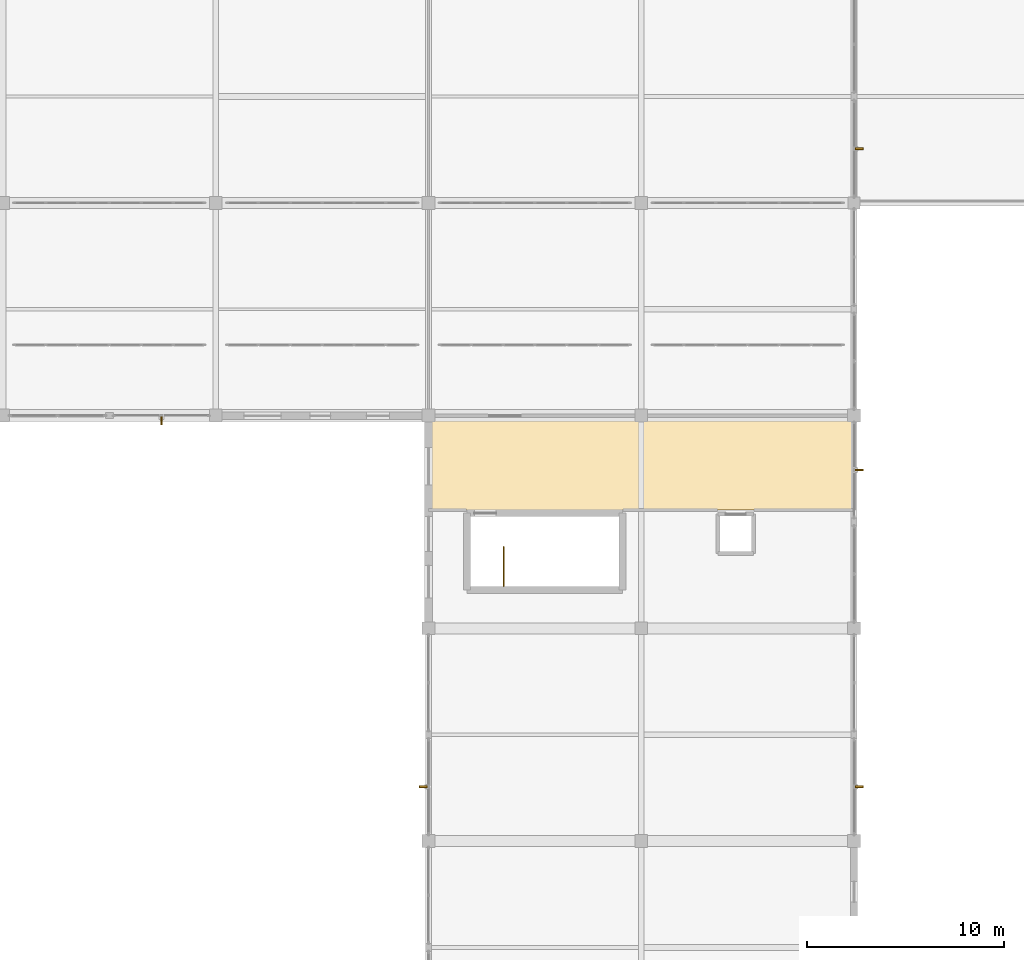
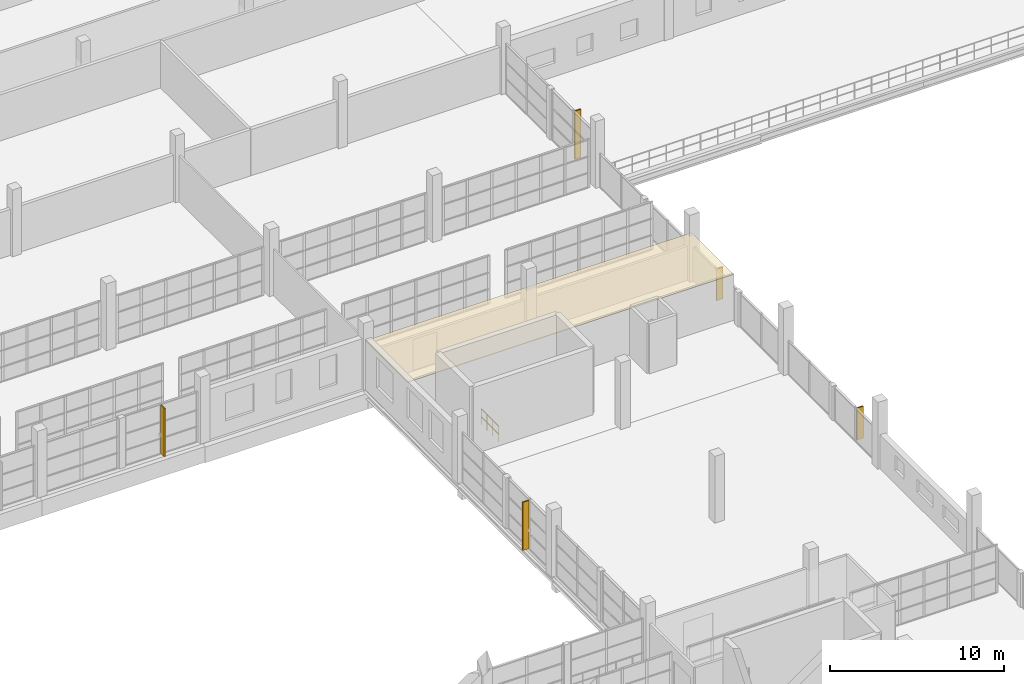
# One storey, part 141 of 142: 5 shading devices, 1 covering, 1 railing.
"""IFC4 building model written with IfcOpenShell, lengths in metres."""

from ifc_helpers import new_model, si_unit, direction, frame, origin, origin_2d, place, context, subcontext, project, spatial, polyline, rectangle, circle, outline, extrude, material, layer, layer_set, type_object, element, save


model = new_model("IFC4")

# Units and contexts
model_context = context("Model", 3, precision=1e-05, world=origin(), true_north=direction((0.0, 1.0)))
body_context = subcontext(model_context, "Body", "Model", "MODEL_VIEW")
ifc_project = project(units=[si_unit("LENGTHUNIT", "METRE"), si_unit("AREAUNIT", "SQUARE_METRE"), si_unit("VOLUMEUNIT", "CUBIC_METRE"), si_unit("PLANEANGLEUNIT", "RADIAN"), si_unit("MASSUNIT", "GRAM", prefix="KILO")], contexts=[model_context])

# Site, building, storey
site_placement = place(None, origin())
site = spatial("IfcSite", under=ifc_project, at=site_placement, CompositionType="ELEMENT")
building_placement = place(site_placement, origin())
building = spatial("IfcBuilding", under=site, at=building_placement, Name="Zwinboog Wholesale Market", CompositionType="ELEMENT")
storey_placement = place(building_placement, frame((0.0, 0.0, 5.39990234375)))
storey = spatial("IfcBuildingStorey", under=building, at=storey_placement, Name="L01", CompositionType="ELEMENT", Elevation=5.39990234375)

# Shading devices
ifc_material_1 = material(Name="Western red cedar timber", Category="wood")
shading_device_type = type_object("IfcShadingDeviceType", Name="SHD-FIN-CEDAR", PredefinedType="USERDEFINED", material=ifc_material_1)
for number, where, z_axis, x_axis, name in (
    (1, (137.639892578125, 86.14501953125, 0.080078125), (0.0, 0.0, 1.0), (0.0, 1.0, 0.0), "FN-01 (SHD-FIN-036)"),
    (2, (150.929931640625, 67.56005859375, 0.080078125), (0.0, 0.0, 1.0), (1.0, 0.0, 0.0), "FN-01 (SHD-FIN-038)"),
):
    element("IfcShadingDevice", number, at=place(storey_placement, frame(where, z_axis=z_axis, x_axis=x_axis)), inside=storey, type_object=shading_device_type, Name=name, ObjectType="FIN", PredefinedType="USERDEFINED", context=body_context, shape_type="SweptSolid", body=[
        extrude(rectangle(XDim=0.419921875, YDim=0.0849609375, at=origin_2d()), origin(), (0.0, 0.0, 1.0), 3.3798828125),
    ])
for number, where, z_axis, x_axis, name in (
    (3, (173.070068359375, 67.56005859375, 0.080078125), (0.0, 0.0, 1.0), (1.0, 0.0, 0.0), "FN-01 (SHD-FIN-040)"),
    (4, (173.054931640625, 83.639892578125, 0.080078125), (0.0, 0.0, 1.0), (1.0, 0.0, 0.0), "FN-01 (SHD-FIN-041)"),
):
    element("IfcShadingDevice", number, at=place(storey_placement, frame(where, z_axis=z_axis, x_axis=x_axis)), inside=storey, type_object=shading_device_type, Name=name, ObjectType="FIN", PredefinedType="USERDEFINED", context=body_context, shape_type="SweptSolid", body=[
        extrude(rectangle(XDim=0.419921875, YDim=0.0849609375, at=origin_2d()), origin(), (0.0, 0.0, 1.0), 2.22998046875),
    ])
shading_device_placement = place(storey_placement, frame((173.070068359375, 99.947509765625, 0.080078125), z_axis=(0.0, 0.0, 1.0), x_axis=(1.0, 0.0, 0.0)))
element("IfcShadingDevice", 5, at=shading_device_placement, inside=storey, type_object=shading_device_type, Name="FN-01 (SHD-FIN-042)", ObjectType="FIN", PredefinedType="USERDEFINED", context=body_context, shape_type="SweptSolid", body=[
    extrude(rectangle(XDim=0.419921875, YDim=0.0849609375, at=origin_2d()), origin(), (0.0, 0.0, 1.0), 3.3798828125),
])

# Railing
ifc_material_2 = material(Name="Steel S355", Category="steel")
railing_type = type_object("IfcRailingType", Name="RLT-INT-GUARD", PredefinedType="BALUSTRADE", material=ifc_material_2)
railing_placement = place(storey_placement, frame((155.02001953125, 79.739990234375, 0.0)))
element("IfcRailing", 6, at=railing_placement, inside=storey, type_object=railing_type, Name="GR-02 (RLG-ST-07-GTOP)", PredefinedType="BALUSTRADE", context=body_context, shape_type="SweptSolid", body=[
    extrude(circle(Radius=0.02392578125, at=origin_2d()), frame((0.0, 0.0, 1.09619140625), z_axis=(0.0, -1.0, 0.0), x_axis=(1.0, 0.0, 0.0)), (0.0, 0.0, 1.0), 2.0),
    extrude(circle(Radius=0.02392578125, at=origin_2d()), frame((0.0, 0.0, 0.5361328125), z_axis=(0.0, -1.0, 0.0), x_axis=(1.0, 0.0, 0.0)), (0.0, 0.0, 1.0), 2.0),
    extrude(circle(Radius=0.02099609375, at=origin_2d()), origin(), (0.0, 0.0, 1.0), 1.072021484375),
    extrude(circle(Radius=0.02099609375, at=origin_2d()), frame((0.0, -0.666748046875, 0.0)), (0.0, 0.0, 1.0), 1.072021484375),
    extrude(circle(Radius=0.02099609375, at=origin_2d()), frame((0.0, -1.333251953125, 0.0)), (0.0, 0.0, 1.0), 1.072021484375),
    extrude(circle(Radius=0.02099609375, at=origin_2d()), frame((0.0, -2.0, 0.0)), (0.0, 0.0, 1.0), 1.072021484375),
])

# Covering
ifc_material_3 = material(Name="Hygienic washable acoustic gypsum ceiling")
ifc_layer = layer(ifc_material_3, 0.050048828125)
ifc_layer_set = layer_set([ifc_layer], Name="Hygienic washable acoustic gypsum ceiling")
covering_type = type_object("IfcCoveringType", Name="COV-CEIL-HYG", PredefinedType="CEILING", material=ifc_layer_set)
covering_placement = place(storey_placement, frame((0.0, 0.0, 3.130126953125)))
element("IfcCovering", 7, at=covering_placement, inside=storey, type_object=covering_type, Name="CL-02 (COV-CL-L01-025)", PredefinedType="CEILING", context=body_context, shape_type="SweptSolid", body=[
    extrude(outline(polyline([(151.199951171875, 81.60009765625), (172.800048828125, 81.60009765625), (172.800048828125, 86.39990234375), (151.199951171875, 86.39990234375), (151.199951171875, 81.60009765625)])), origin(), (0.0, 0.0, 1.0), 0.050048828125),
])

save(model, "model.ifc")
